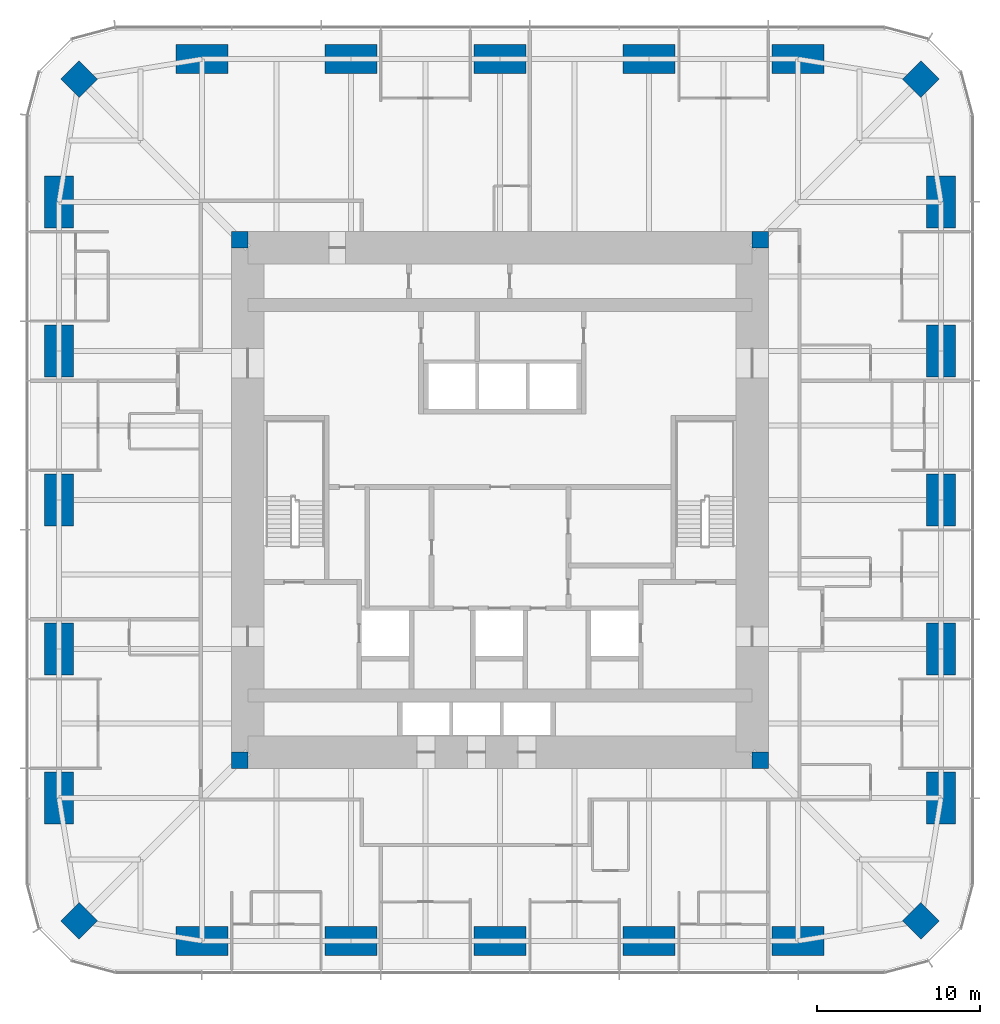
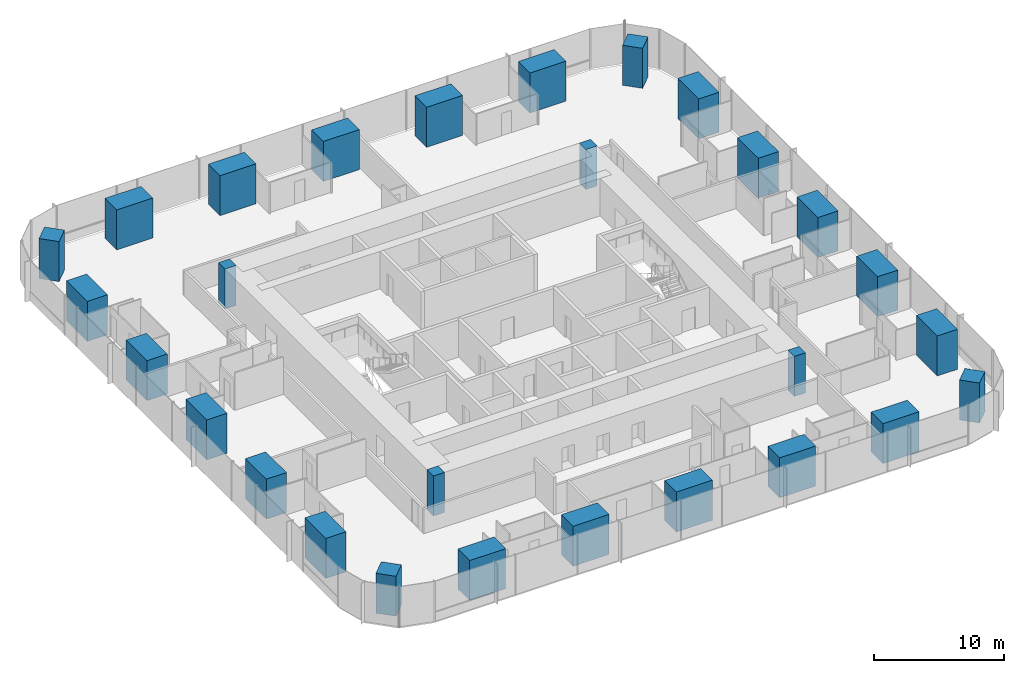
# One storey, part 1 of 13: 28 columns.
"""IFC4 building model written with IfcOpenShell, lengths in metres."""

import ifcopenshell
import ifcopenshell.guid

model = None  # the IFC model being written
_history = None  # IfcOwnerHistory: only IFC2X3 demands one
_inside = {}  # id of a spatial element -> (the spatial element, [elements in it])
_under = {}  # id of a project, library or spatial element -> (it, [spatial elements below it])
_declared = {}  # id of a project -> (the project, [libraries it declares])
_typed = {}  # id of a type object -> (the type object, [elements of that type])
_made_of = {}  # id of a material, layer set ... -> (it, [elements and type objects made of it])


def new_model(schema):
    """Start an empty IFC model of exactly this schema.

    Asked for "IFC4X3", IfcOpenShell would pick the latest addendum, in which some entities
    have other attributes; the version numbers below select the first issue.
    IFC2X3 requires an IfcOwnerHistory on every rooted entity: one is made here for all.
    """
    global model, _history
    if schema == "IFC4X3":
        model = ifcopenshell.file(schema_version=(4, 3, 0, 0))
    else:
        model = ifcopenshell.file(schema=schema)
    _inside.clear()
    _under.clear()
    _declared.clear()
    _typed.clear()
    _made_of.clear()
    _history = None
    if model.schema == "IFC2X3":
        org = make("IfcOrganization", Name="unknown")
        user = make(
            "IfcPersonAndOrganization",
            ThePerson=make("IfcPerson", FamilyName="unknown"),
            TheOrganization=org,
        )
        app = make(
            "IfcApplication",
            ApplicationDeveloper=org,
            Version="unknown",
            ApplicationFullName="unknown",
            ApplicationIdentifier="unknown",
        )
        _history = make(
            "IfcOwnerHistory",
            OwningUser=user,
            OwningApplication=app,
            ChangeAction="ADDED",
            CreationDate=0,
        )
    return model


def make(cls, **values):
    """One entity of the class cls with the attributes given. An attribute that is None is left unset."""
    return model.create_entity(
        cls, **{name: value for name, value in values.items() if value is not None}
    )


def rooted(cls, **values):
    """An entity with a GlobalId (a new one), such as an element, a storey or a relation."""
    return make(cls, GlobalId=ifcopenshell.guid.new(), OwnerHistory=_history, **values)


def si_unit(unit_type, name, prefix=None):
    """IfcSIUnit, for example si_unit("LENGTHUNIT", "METRE", prefix="MILLI")."""
    return make("IfcSIUnit", UnitType=unit_type, Prefix=prefix, Name=name)


def assignment(units):
    """IfcUnitAssignment: the units of a project."""
    return None if units is None else make("IfcUnitAssignment", Units=units)


def point(xyz):
    """IfcCartesianPoint."""
    return None if xyz is None else make("IfcCartesianPoint", Coordinates=xyz)


def direction(xyz):
    """IfcDirection."""
    return None if xyz is None else make("IfcDirection", DirectionRatios=xyz)


def frame(location, z_axis=None, x_axis=None):
    """IfcAxis2Placement3D, a coordinate frame: its origin and axes. An axis left out is left unset."""
    return make(
        "IfcAxis2Placement3D",
        Location=point(location),
        Axis=direction(z_axis),
        RefDirection=direction(x_axis),
    )


def frame_2d(location, x_axis=None):
    """IfcAxis2Placement2D, a coordinate frame in the plane: its origin and x axis."""
    return make(
        "IfcAxis2Placement2D", Location=point(location), RefDirection=direction(x_axis)
    )


def origin():
    """The frame at (0, 0, 0) with its axes left unset."""
    return frame((0.0, 0.0, 0.0))


def origin_2d():
    """The frame at (0, 0) in the plane with its x axis left unset."""
    return frame_2d((0.0, 0.0))


def place(relative_to, where):
    """IfcLocalPlacement: puts the frame where relative to a parent placement (None: the world)."""
    return make(
        "IfcLocalPlacement", PlacementRelTo=relative_to, RelativePlacement=where
    )


def context(
    kind, dimensions, precision=None, world=None, true_north=None, identifier=None
):
    """IfcGeometricRepresentationContext, for example the 3D "Model" context."""
    return make(
        "IfcGeometricRepresentationContext",
        ContextIdentifier=identifier,
        ContextType=kind,
        CoordinateSpaceDimension=dimensions,
        Precision=precision,
        WorldCoordinateSystem=world,
        TrueNorth=true_north,
    )


def subcontext(parent, identifier, kind, view, scale=None):
    """IfcGeometricRepresentationSubContext, for example "Body" below "Model"."""
    return make(
        "IfcGeometricRepresentationSubContext",
        ContextIdentifier=identifier,
        ContextType=kind,
        ParentContext=parent,
        TargetScale=scale,
        TargetView=view,
    )


def project(units=None, contexts=None):
    """IfcProject with its units and contexts."""
    return rooted(
        "IfcProject",
        Name="project",
        RepresentationContexts=contexts,
        UnitsInContext=assignment(units),
    )


def spatial(cls, under=None, at=None, **own):
    """A site, building, storey or space (cls), placed at a placement, below another one or the project."""
    s = rooted(cls, ObjectPlacement=at, **own)
    if under is not None:
        _under.setdefault(under.id(), (under, []))[1].append(s)
    return s


def profile(cls, at=None, kind="AREA", **sizes):
    """A parametric profile (cls). Its sizes go by their IFC names, for example OverallWidth=200.0."""
    return make(cls, ProfileType=kind, Position=at, **sizes)


def rectangle(**sizes):
    """IfcRectangleProfileDef."""
    return profile("IfcRectangleProfileDef", **sizes)


def extrude(swept, where, along, depth):
    """IfcExtrudedAreaSolid: the profile swept, set in the frame where, extruded along a direction by depth."""
    return make(
        "IfcExtrudedAreaSolid",
        SweptArea=swept,
        Position=where,
        ExtrudedDirection=direction(along),
        Depth=depth,
    )


def shape(context_of_items, identifier, shape_type, items):
    """IfcShapeRepresentation: the items that make up one representation, for example the "Body"."""
    return make(
        "IfcShapeRepresentation",
        ContextOfItems=context_of_items,
        RepresentationIdentifier=identifier,
        RepresentationType=shape_type,
        Items=items,
    )


def material(Name=None, Category=None):
    """IfcMaterial."""
    return make("IfcMaterial", Name=Name, Category=Category)


def material_profile(
    of_material, cross_section, Name=None, Category=None, Priority=None
):
    """IfcMaterialProfile: a cross section and its material."""
    return make(
        "IfcMaterialProfile",
        Name=Name,
        Material=of_material,
        Profile=cross_section,
        Priority=Priority,
        Category=Category,
    )


def profile_set(profiles, Name=None, composite=None):
    """IfcMaterialProfileSet."""
    return make(
        "IfcMaterialProfileSet",
        Name=Name,
        MaterialProfiles=profiles,
        CompositeProfile=composite,
    )


def made_of(thing, what):
    """Note that an element or type object is made of a material, layer set ...; save() writes the relation."""
    if what is not None:
        _made_of.setdefault(what.id(), (what, []))[1].append(thing)
    return thing


def type_object(cls, material=None, **own):
    """A type object (cls), such as IfcWallType, which elements share."""
    return made_of(rooted(cls, **own), material)


def element(
    cls,
    number,
    at=None,
    inside=None,
    cuts=None,
    type_object=None,
    material=None,
    context=None,
    identifier="Body",
    shape_type=None,
    held_by="IfcProductDefinitionShape",
    body=None,
    shapes=None,
    **own,
):
    """One element of the class cls, such as IfcWall. Its Tag is "e" and its number.

    at: its placement. inside: the storey or other place that contains it. cuts: it is an
    opening in that element (IfcRelVoidsElement). A single representation is given by context,
    identifier, shape_type and body (its items); several are given by shapes. held_by: the class
    of the entity that holds the representations. save() writes the other relations.
    """
    e = rooted(cls, Tag="e%d" % number, ObjectPlacement=at, **own)
    if body is not None:
        shapes = [shape(context, identifier, shape_type, body)]
    if shapes is not None:
        e.Representation = make(held_by, Representations=shapes)
    if inside is not None:
        _inside.setdefault(inside.id(), (inside, []))[1].append(e)
    if cuts is not None:
        rooted(
            "IfcRelVoidsElement", RelatingBuildingElement=cuts, RelatedOpeningElement=e
        )
    if type_object is not None:
        _typed.setdefault(type_object.id(), (type_object, []))[1].append(e)
    return made_of(e, material)


def aggregate(whole, parts):
    """IfcRelAggregates: a whole, such as a stair, and the parts it consists of."""
    return rooted("IfcRelAggregates", RelatingObject=whole, RelatedObjects=parts)


def save(model, path):
    """Write the relations noted so far, then the file.

    IfcRelAggregates (storeys below a building ...), IfcRelContainedInSpatialStructure (elements
    in a storey), IfcRelDefinesByType, IfcRelAssociatesMaterial and IfcRelDeclares: one each for
    every whole, place, type object, material and project.
    """
    for whole, parts in _under.values():
        aggregate(whole, parts)
    for where, things in _inside.values():
        rooted(
            "IfcRelContainedInSpatialStructure",
            RelatedElements=things,
            RelatingStructure=where,
        )
    for kind, things in _typed.values():
        rooted("IfcRelDefinesByType", RelatedObjects=things, RelatingType=kind)
    for what, things in _made_of.values():
        rooted("IfcRelAssociatesMaterial", RelatedObjects=things, RelatingMaterial=what)
    for by, libraries in _declared.values():
        rooted("IfcRelDeclares", RelatingContext=by, RelatedDefinitions=libraries)
    model.write(path)


model = new_model("IFC4")

# Units and contexts
model_context = context("Model", 3, precision=1e-05, world=origin(), true_north=direction((0.0, 1.0)))
body_context = subcontext(model_context, "Body", "Model", "MODEL_VIEW")
ifc_project = project(units=[si_unit("LENGTHUNIT", "METRE"), si_unit("AREAUNIT", "SQUARE_METRE"), si_unit("VOLUMEUNIT", "CUBIC_METRE"), si_unit("PLANEANGLEUNIT", "RADIAN"), si_unit("MASSUNIT", "GRAM", prefix="KILO")], contexts=[model_context])

# Site, building, storey
site_placement = place(None, origin())
site = spatial("IfcSite", under=ifc_project, at=site_placement, CompositionType="ELEMENT")
building_placement = place(site_placement, origin())
building = spatial("IfcBuilding", under=site, at=building_placement, Name="Khuree Lantern Residences", CompositionType="ELEMENT")
storey_placement = place(building_placement, frame((0.0, 0.0, 129.75)))
storey = spatial("IfcBuildingStorey", under=building, at=storey_placement, Name="L32", CompositionType="ELEMENT", Elevation=129.75)

# Columns
ifc_material = material(Name="Concrete C70/85", Category="concrete")
ifc_material_profile_1 = material_profile(ifc_material, rectangle(XDim=1.60009765625, YDim=1.60009765625, at=origin_2d()), Name="RC 1600X1600")
ifc_profile_set_1 = profile_set([ifc_material_profile_1], Name="Concrete C70/85")
column_type_1 = type_object("IfcColumnType", Name="CC1600A PERIMETER CORNER COLUMN RC 1600X1600", PredefinedType="COLUMN", material=ifc_profile_set_1)
for number, where, z_axis, x_axis, name in (
    (1, (25.869873046875, 25.869873046875, 0.0), (0.0, 0.0, 1.0), (0.707106781187, -0.707106781187, 0.0), "Perimeter column NE"),
    (2, (25.869873046875, -25.869873046875, 0.0), (0.0, 0.0, 1.0), (0.707106781187, 0.707106781187, 0.0), "Perimeter column SE"),
    (3, (-25.869873046875, -25.869873046875, 0.0), (0.0, 0.0, 1.0), (0.707106781187, -0.707106781187, 0.0), "Perimeter column SW"),
    (4, (-25.869873046875, 25.869873046875, 0.0), (0.0, 0.0, 1.0), (0.707106781187, 0.707106781187, 0.0), "Perimeter column NW"),
):
    element("IfcColumn", number, at=place(storey_placement, frame(where, z_axis=z_axis, x_axis=x_axis)), inside=storey, type_object=column_type_1, Name=name, PredefinedType="COLUMN", context=body_context, shape_type="SweptSolid", body=[
        extrude(rectangle(XDim=1.60009765625, YDim=1.60009765625, at=origin_2d()), origin(), (0.0, 0.0, 1.0), 3.75),
    ])
ifc_material_profile_2 = material_profile(ifc_material, rectangle(XDim=1.0, YDim=1.0, at=origin_2d()), Name="RC 1000X1000")
ifc_profile_set_2 = profile_set([ifc_material_profile_2], Name="Concrete C70/85")
column_type_2 = type_object("IfcColumnType", Name="CP1000-C70 CORE CORNER PIER C70 RC 1000X1000", PredefinedType="COLUMN", material=ifc_profile_set_2)
for number, where, z_axis, x_axis, name in (
    (5, (16.0, 16.0, -0.25), (0.0, 0.0, 1.0), (1.0, 0.0, 0.0), "Core corner pier NE"),
    (6, (-16.0, 16.0, -0.25), (0.0, 0.0, 1.0), (1.0, 0.0, 0.0), "Core corner pier NW"),
    (7, (-16.0, -16.0, -0.25), (0.0, 0.0, 1.0), (1.0, 0.0, 0.0), "Core corner pier SW"),
    (8, (16.0, -16.0, -0.25), (0.0, 0.0, 1.0), (1.0, 0.0, 0.0), "Core corner pier SE"),
):
    element("IfcColumn", number, at=place(storey_placement, frame(where, z_axis=z_axis, x_axis=x_axis)), inside=storey, type_object=column_type_2, Name=name, PredefinedType="COLUMN", context=body_context, shape_type="SweptSolid", body=[
        extrude(rectangle(XDim=1.0, YDim=1.0, at=origin_2d()), origin(), (0.0, 0.0, 1.0), 3.75),
    ])
ifc_material_profile_3 = material_profile(ifc_material, rectangle(XDim=3.199951171875, YDim=1.800048828125, at=origin_2d()), Name="RC 3200X1800")
ifc_profile_set_3 = profile_set([ifc_material_profile_3], Name="Concrete C70/85")
column_type_3 = type_object("IfcColumnType", Name="PC1 PERIMETER COLUMN RC 3200X1800", PredefinedType="COLUMN", material=ifc_profile_set_3)
for number, where, z_axis, x_axis, name in (
    (9, (-18.320068359375, 27.10009765625, 0.0), (0.0, 0.0, 1.0), (1.0, 0.0, 0.0), "Perimeter column N1"),
    (10, (-9.159912109375, 27.10009765625, 0.0), (0.0, 0.0, 1.0), (1.0, 0.0, 0.0), "Perimeter column N2"),
    (11, (0.0, 27.10009765625, 0.0), (0.0, 0.0, 1.0), (1.0, 0.0, 0.0), "Perimeter column N3"),
    (12, (9.159912109375, 27.10009765625, 0.0), (0.0, 0.0, 1.0), (1.0, 0.0, 0.0), "Perimeter column N4"),
    (13, (18.320068359375, 27.10009765625, 0.0), (0.0, 0.0, 1.0), (1.0, 0.0, 0.0), "Perimeter column N5"),
    (14, (27.10009765625, 18.320068359375, 0.0), (0.0, 0.0, 1.0), (0.0, 1.0, 0.0), "Perimeter column E1"),
    (15, (27.10009765625, 9.159912109375, 0.0), (0.0, 0.0, 1.0), (0.0, 1.0, 0.0), "Perimeter column E2"),
    (16, (27.10009765625, 0.0, 0.0), (0.0, 0.0, 1.0), (0.0, 1.0, 0.0), "Perimeter column E3"),
    (17, (27.10009765625, -9.159912109375, 0.0), (0.0, 0.0, 1.0), (0.0, 1.0, 0.0), "Perimeter column E4"),
    (18, (27.10009765625, -18.320068359375, 0.0), (0.0, 0.0, 1.0), (0.0, 1.0, 0.0), "Perimeter column E5"),
    (19, (18.320068359375, -27.10009765625, 0.0), (0.0, 0.0, 1.0), (1.0, 0.0, 0.0), "Perimeter column S1"),
    (20, (9.159912109375, -27.10009765625, 0.0), (0.0, 0.0, 1.0), (1.0, 0.0, 0.0), "Perimeter column S2"),
    (21, (0.0, -27.10009765625, 0.0), (0.0, 0.0, 1.0), (1.0, 0.0, 0.0), "Perimeter column S3"),
    (22, (-9.159912109375, -27.10009765625, 0.0), (0.0, 0.0, 1.0), (1.0, 0.0, 0.0), "Perimeter column S4"),
    (23, (-18.320068359375, -27.10009765625, 0.0), (0.0, 0.0, 1.0), (1.0, 0.0, 0.0), "Perimeter column S5"),
    (24, (-27.10009765625, -18.320068359375, 0.0), (0.0, 0.0, 1.0), (0.0, 1.0, 0.0), "Perimeter column W1"),
    (25, (-27.10009765625, -9.159912109375, 0.0), (0.0, 0.0, 1.0), (0.0, 1.0, 0.0), "Perimeter column W2"),
    (26, (-27.10009765625, 0.0, 0.0), (0.0, 0.0, 1.0), (0.0, 1.0, 0.0), "Perimeter column W3"),
    (27, (-27.10009765625, 9.159912109375, 0.0), (0.0, 0.0, 1.0), (0.0, 1.0, 0.0), "Perimeter column W4"),
    (28, (-27.10009765625, 18.320068359375, 0.0), (0.0, 0.0, 1.0), (0.0, 1.0, 0.0), "Perimeter column W5"),
):
    element("IfcColumn", number, at=place(storey_placement, frame(where, z_axis=z_axis, x_axis=x_axis)), inside=storey, type_object=column_type_3, Name=name, PredefinedType="COLUMN", context=body_context, shape_type="SweptSolid", body=[
        extrude(rectangle(XDim=3.199951171875, YDim=1.800048828125, at=origin_2d()), origin(), (0.0, 0.0, 1.0), 3.75),
    ])

save(model, "model.ifc")
